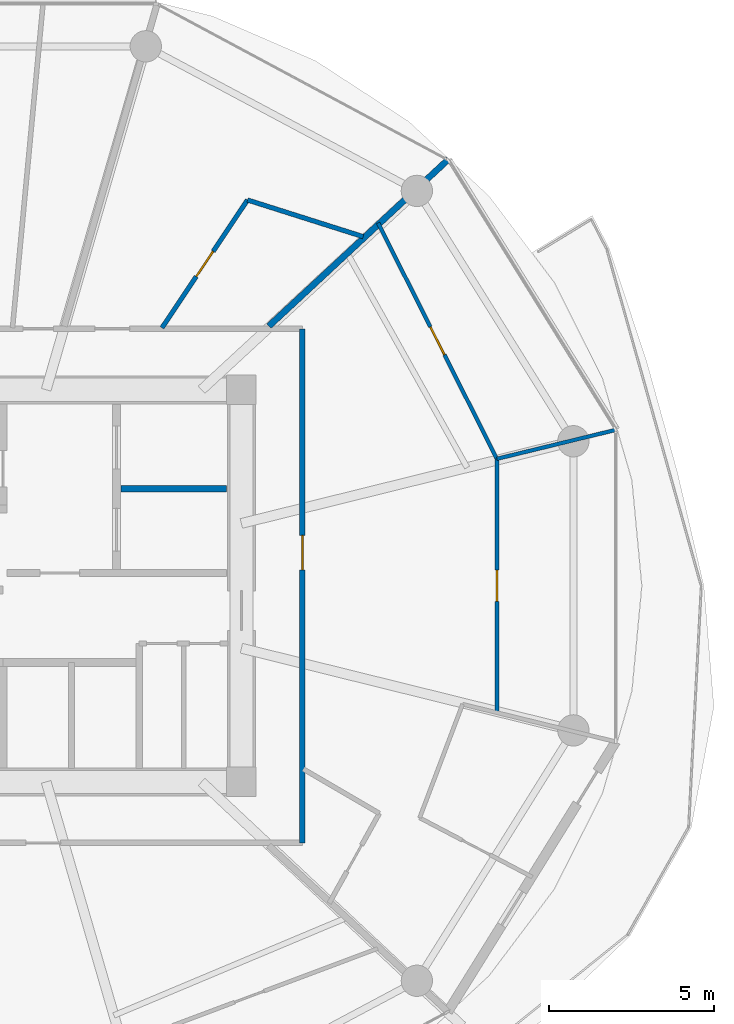
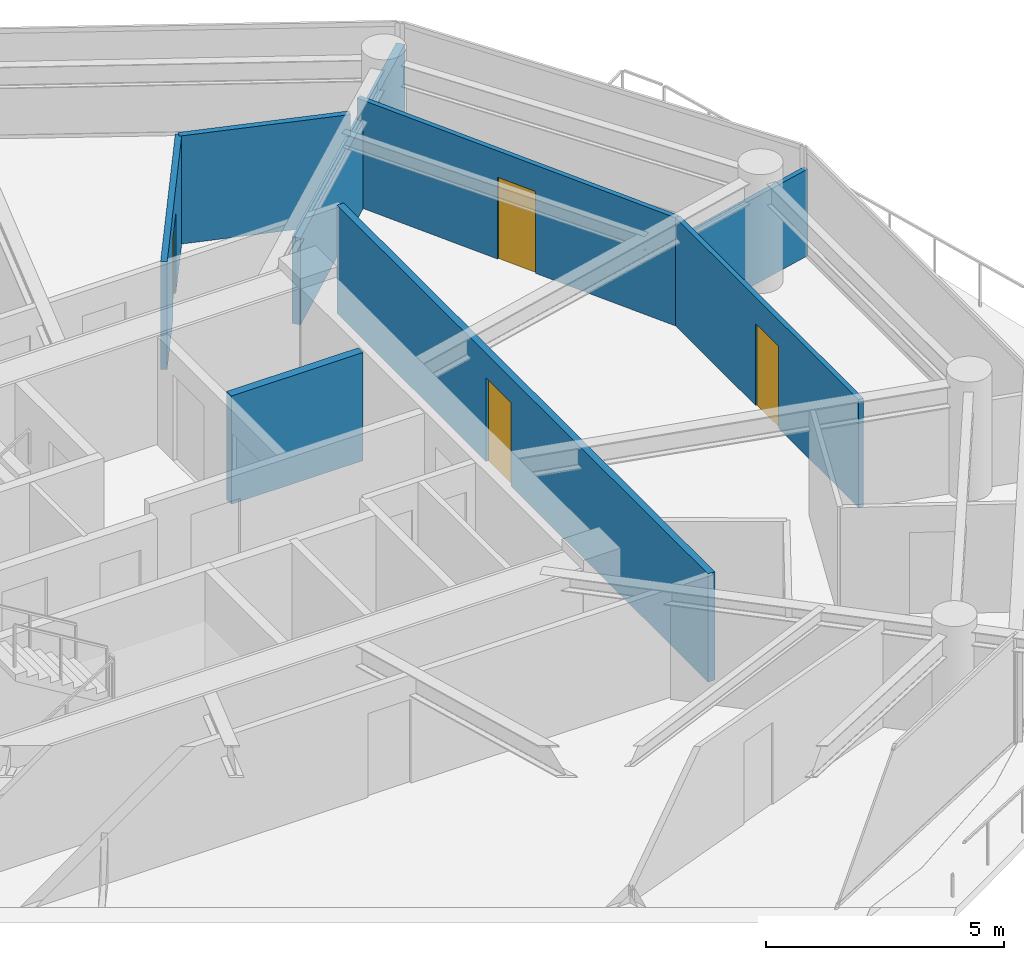
# One storey, part 21 of 27: 8 walls, 4 doors, 4 openings.
"""IFC4 building model written with IfcOpenShell, lengths in metres."""

from ifc_helpers import new_model, si_unit, direction, frame, frame_2d, origin, place, context, subcontext, project, spatial, rectangle, extrude, source, transform, mapped, material, layer, layer_set, type_object, type_shapes, element, fill, save


model = new_model("IFC4")

# Units and contexts
model_context = context("Model", 3, precision=1e-05, world=origin(), true_north=direction((0.0, 1.0)))
body_context = subcontext(model_context, "Body", "Model", "MODEL_VIEW")
ifc_project = project(units=[si_unit("LENGTHUNIT", "METRE"), si_unit("AREAUNIT", "SQUARE_METRE"), si_unit("VOLUMEUNIT", "CUBIC_METRE"), si_unit("PLANEANGLEUNIT", "RADIAN"), si_unit("MASSUNIT", "GRAM", prefix="KILO")], contexts=[model_context])

# Site, building, storey
site_placement = place(None, origin())
site = spatial("IfcSite", under=ifc_project, at=site_placement, CompositionType="ELEMENT")
building_placement = place(site_placement, origin())
building = spatial("IfcBuilding", under=site, at=building_placement, Name="Norrkilde Senior Care Towers", CompositionType="ELEMENT")
storey_placement = place(building_placement, frame((0.0, 0.0, 30.75)))
storey = spatial("IfcBuildingStorey", under=building, at=storey_placement, Name="L08", CompositionType="ELEMENT", Elevation=30.75)

# Wall
ifc_material_1 = material(Name="Concrete C45/55", Category="concrete")
ifc_layer_1 = layer(ifc_material_1, 0.199951171875)
ifc_layer_set_1 = layer_set([ifc_layer_1], Name="Concrete C45/55")
wall_type_1 = type_object("IfcWallType", Name="Shaft Division and Plant Partition 200", PredefinedType="PARTITIONING", material=ifc_layer_set_1)
shared_shape_1 = source(origin(), body_context, "Body", "SweptSolid", [
    extrude(rectangle(XDim=3.199951171875, YDim=0.199951171875, at=frame_2d((1.60009765625, 0.0))), origin(), (0.0, 0.0, 1.0), 2.77490234375),
])
type_shapes(wall_type_1, [shared_shape_1])
wall_1_placement = place(storey_placement, frame((32.0, 2.949951171875, 0.0), z_axis=(0.0, 0.0, 1.0), x_axis=(1.0, 0.0, 0.0)))
element("IfcWall", 1, at=wall_1_placement, inside=storey, type_object=wall_type_1, Name="WL-INT-L08-E-FFLDIV", PredefinedType="PARTITIONING", context=body_context, shape_type="MappedRepresentation", body=[
    mapped(shared_shape_1, transform((0.0, 0.0, 0.0), x_axis=(1.0, 0.0, 0.0), y_axis=(0.0, 1.0, 0.0), z_axis=(0.0, 0.0, 1.0), scale=1.0)),
])

# Wall, opening, door
ifc_material_2 = material(Name="Gypsum Acoustic Board")
ifc_layer_2 = layer(ifc_material_2, 0.1650390625)
ifc_layer_set_2 = layer_set([ifc_layer_2], Name="Gypsum Acoustic Board")
wall_type_2 = type_object("IfcWallType", Name="Corridor Rated Partition 165", PredefinedType="PARTITIONING", material=ifc_layer_set_2)
shared_shape_2 = source(origin(), body_context, "Body", "SweptSolid", [
    extrude(rectangle(XDim=15.60009765625, YDim=0.1650390625, at=frame_2d((7.800048828125, 0.0))), origin(), (0.0, 0.0, 1.0), 2.77490234375),
])
type_shapes(wall_type_2, [shared_shape_2])
wall_2_placement = place(storey_placement, frame((37.5, 7.800048828125, 0.0), z_axis=(0.0, 0.0, 1.0), x_axis=(0.0, -1.0, 0.0)))
wall_2 = element("IfcWall", 2, at=wall_2_placement, inside=storey, type_object=wall_type_2, Name="WL-INT-L08-E-CRW-E-0", PredefinedType="PARTITIONING", context=body_context, shape_type="MappedRepresentation", body=[
    mapped(shared_shape_2, transform((0.0, 0.0, 0.0), x_axis=(1.0, 0.0, 0.0), y_axis=(0.0, 1.0, 0.0), z_axis=(0.0, 0.0, 1.0), scale=1.0)),
])
opening_1_placement = place(wall_2_placement, frame((6.26904296875, 0.0, 0.0)))
opening_1 = element("IfcOpeningElement", 3, at=opening_1_placement, cuts=wall_2, Name="Opening D-06", PredefinedType="OPENING", context=body_context, shape_type="SweptSolid", body=[
    extrude(rectangle(XDim=1.050048828125, YDim=2.14990234375, at=frame_2d((0.52490234375, 1.074951171875))), frame((0.0, 0.092529296875, 0.0), z_axis=(0.0, -1.0, 0.0), x_axis=(1.0, 0.0, 0.0)), (0.0, 0.0, 1.0), 0.18505859375),
])
ifc_material_3 = material(Name="Nordic Ash Timber", Category="wood")
door_type_1 = type_object("IfcDoorType", Name="Apartment Entrance Fire Door 1050x2150", OperationType="NOTDEFINED", PredefinedType="DOOR", material=ifc_material_3)
shared_shape_3 = source(origin(), body_context, "Body", "SweptSolid", [
    extrude(rectangle(XDim=1.050048828125, YDim=2.14990234375, at=frame_2d((0.52490234375, 1.074951171875))), frame((0.0, 0.02490234375, 0.0), z_axis=(0.0, -1.0, 0.0), x_axis=(1.0, 0.0, 0.0)), (0.0, 0.0, 1.0), 0.050048828125),
])
type_shapes(door_type_1, [shared_shape_3])
door_1_placement = place(opening_1_placement, frame((1.050048828125, 0.0, 0.0), z_axis=(0.0, 0.0, 1.0), x_axis=(-1.0, 0.0, 0.0)))
door_1 = element("IfcDoor", 4, at=door_1_placement, inside=storey, type_object=door_type_1, Name="Apartment 08F Entrance Door", OperationType="SINGLE_SWING_LEFT", OverallHeight=2.14990234375, OverallWidth=1.050048828125, PredefinedType="DOOR", context=body_context, shape_type="MappedRepresentation", body=[
    mapped(shared_shape_3, transform((0.0, 0.0, 0.0), x_axis=(1.0, 0.0, 0.0), y_axis=(0.0, 1.0, 0.0), z_axis=(0.0, 0.0, 1.0), scale=1.0)),
])
fill(opening_1, door_1)

ifc_layer_3 = layer(ifc_material_2, 0.114990234375)
ifc_layer_set_3 = layer_set([ifc_layer_3], Name="Gypsum Acoustic Board")
wall_type_3 = type_object("IfcWallType", Name="Internal Room Partition 115", PredefinedType="PARTITIONING", material=ifc_layer_set_3)
shared_shape_4 = source(origin(), body_context, "Body", "SweptSolid", [
    extrude(rectangle(XDim=8.017822265625, YDim=0.114990234375, at=frame_2d((4.0087890625, 0.0))), origin(), (0.0, 0.0, 1.0), 2.77490234375),
])
wall_3_placement = place(storey_placement, frame((43.404052734375, 3.854248046875, 0.0), z_axis=(0.0, 0.0, 1.0), x_axis=(-0.450134355233, 0.89296084026, 0.0)))
wall_3 = element("IfcWall", 5, at=wall_3_placement, inside=storey, type_object=wall_type_3, Name="WL-INT-L08-E-UBC-10-2", PredefinedType="PARTITIONING", context=body_context, shape_type="MappedRepresentation", body=[
    mapped(shared_shape_4, transform((0.0, 0.0, 0.0), x_axis=(1.0, 0.0, 0.0), y_axis=(0.0, 1.0, 0.0), z_axis=(0.0, 0.0, 1.0), scale=1.0)),
])
opening_2_placement = place(wall_3_placement, frame((3.533935546875, 0.0, 0.0)))
opening_2 = element("IfcOpeningElement", 6, at=opening_2_placement, cuts=wall_3, Name="Opening D-07", PredefinedType="OPENING", context=body_context, shape_type="SweptSolid", body=[
    extrude(rectangle(XDim=0.949951171875, YDim=2.10009765625, at=frame_2d((0.47509765625, 1.050048828125))), frame((0.0, 0.0673828125, 0.0), z_axis=(0.0, -1.0, 0.0), x_axis=(1.0, 0.0, 0.0)), (0.0, 0.0, 1.0), 0.135009765625),
])
door_type_2 = type_object("IfcDoorType", Name="Internal Suite Bedroom Door 950x2100", OperationType="NOTDEFINED", PredefinedType="DOOR", material=ifc_material_3)
shared_shape_5 = source(origin(), body_context, "Body", "SweptSolid", [
    extrude(rectangle(XDim=0.949951171875, YDim=2.10009765625, at=frame_2d((0.47509765625, 1.050048828125))), frame((0.0, 0.02490234375, 0.0), z_axis=(0.0, -1.0, 0.0), x_axis=(1.0, 0.0, 0.0)), (0.0, 0.0, 1.0), 0.050048828125),
])
type_shapes(door_type_2, [shared_shape_5])
door_2_placement = place(opening_2_placement, frame((0.949951171875, 0.0, 0.0), z_axis=(0.0, 0.0, 1.0), x_axis=(-1.0, 0.0, 0.0)))
door_2 = element("IfcDoor", 7, at=door_2_placement, inside=storey, type_object=door_type_2, Name="Apartment 08F Bedroom 2 Door", OperationType="SINGLE_SWING_LEFT", OverallHeight=2.10009765625, OverallWidth=0.949951171875, PredefinedType="DOOR", context=body_context, shape_type="MappedRepresentation", body=[
    mapped(shared_shape_5, transform((0.0, 0.0, 0.0), x_axis=(1.0, 0.0, 0.0), y_axis=(0.0, 1.0, 0.0), z_axis=(0.0, 0.0, 1.0), scale=1.0)),
])
fill(opening_2, door_2)

# Wall
ifc_layer_4 = layer(ifc_material_2, 0.18994140625)
ifc_layer_set_4 = layer_set([ifc_layer_4], Name="Gypsum Acoustic Board")
wall_type_4 = type_object("IfcWallType", Name="Unit Demising Acoustic Wall 190", PredefinedType="PARTITIONING", material=ifc_layer_set_4)
shared_shape_6 = source(origin(), body_context, "Body", "SweptSolid", [
    extrude(rectangle(XDim=7.4345703125, YDim=0.18994140625, at=frame_2d((3.71728515625, 0.0))), origin(), (0.0, 0.0, 1.0), 2.22509765625),
])
type_shapes(wall_type_4, [shared_shape_6])
wall_4_placement = place(storey_placement, frame((36.48291015625, 7.8798828125, 0.0), z_axis=(0.0, 0.0, 1.0), x_axis=(0.732651956848, 0.680603489652, 0.0)))
element("IfcWall", 8, at=wall_4_placement, inside=storey, type_object=wall_type_4, Name="WL-INT-L08-E-DEM-01-0", PredefinedType="PARTITIONING", context=body_context, shape_type="MappedRepresentation", body=[
    mapped(shared_shape_6, transform((0.0, 0.0, 0.0), x_axis=(1.0, 0.0, 0.0), y_axis=(0.0, 1.0, 0.0), z_axis=(0.0, 0.0, 1.0), scale=1.0)),
])

# Wall, opening, door
shared_shape_7 = source(origin(), body_context, "Body", "SweptSolid", [
    extrude(rectangle(XDim=7.70947265625, YDim=0.114990234375, at=frame_2d((3.854736328125, 0.0))), origin(), (0.0, 0.0, 1.0), 2.77490234375),
])
wall_5_placement = place(storey_placement, frame((43.40625, -3.854736328125, 0.0), z_axis=(0.0, 0.0, 1.0), x_axis=(0.0, 1.0, 0.0)))
wall_5 = element("IfcWall", 9, at=wall_5_placement, inside=storey, type_object=wall_type_3, Name="WL-INT-L08-E-UBC-10-1", PredefinedType="PARTITIONING", context=body_context, shape_type="MappedRepresentation", body=[
    mapped(shared_shape_7, transform((0.0, 0.0, 0.0), x_axis=(1.0, 0.0, 0.0), y_axis=(0.0, 1.0, 0.0), z_axis=(0.0, 0.0, 1.0), scale=1.0)),
])
opening_3_placement = place(wall_5_placement, frame((3.379638671875, 0.0, 0.0)))
opening_3 = element("IfcOpeningElement", 10, at=opening_3_placement, cuts=wall_5, Name="Opening D-07", PredefinedType="OPENING", context=body_context, shape_type="SweptSolid", body=[
    extrude(rectangle(XDim=0.949951171875, YDim=2.10009765625, at=frame_2d((0.47509765625, 1.050048828125))), frame((0.0, 0.0673828125, 0.0), z_axis=(0.0, -1.0, 0.0), x_axis=(1.0, 0.0, 0.0)), (0.0, 0.0, 1.0), 0.135009765625),
])
door_3_placement = place(opening_3_placement, origin())
door_3 = element("IfcDoor", 11, at=door_3_placement, inside=storey, type_object=door_type_2, Name="Apartment 08F Bedroom 1 Door", OperationType="SINGLE_SWING_RIGHT", OverallHeight=2.10009765625, OverallWidth=0.949951171875, PredefinedType="DOOR", context=body_context, shape_type="MappedRepresentation", body=[
    mapped(shared_shape_5, transform((0.0, 0.0, 0.0), x_axis=(1.0, 0.0, 0.0), y_axis=(0.0, 1.0, 0.0), z_axis=(0.0, 0.0, 1.0), scale=1.0)),
])
fill(opening_3, door_3)

# Wall
shared_shape_8 = source(origin(), body_context, "Body", "SweptSolid", [
    extrude(rectangle(XDim=3.73046875, YDim=0.114990234375, at=frame_2d((1.865234375, 0.0))), origin(), (0.0, 0.0, 1.0), 2.22509765625),
])
type_shapes(wall_type_3, [shared_shape_4, shared_shape_7, shared_shape_8])
wall_6_placement = place(storey_placement, frame((43.404052734375, 3.854248046875, 0.0), z_axis=(0.0, 0.0, 1.0), x_axis=(0.971644038568, 0.236448434791, 0.0)))
element("IfcWall", 12, at=wall_6_placement, inside=storey, type_object=wall_type_3, Name="WL-INT-L08-E-UBR-10-2", PredefinedType="PARTITIONING", context=body_context, shape_type="MappedRepresentation", body=[
    mapped(shared_shape_8, transform((0.0, 0.0, 0.0), x_axis=(1.0, 0.0, 0.0), y_axis=(0.0, 1.0, 0.0), z_axis=(0.0, 0.0, 1.0), scale=1.0)),
])

# Wall, opening, door
ifc_layer_5 = layer(ifc_material_2, 0.139892578125)
ifc_layer_set_5 = layer_set([ifc_layer_5], Name="Gypsum Acoustic Board")
wall_type_5 = type_object("IfcWallType", Name="En-suite Wet Room Wall 140", PredefinedType="PARTITIONING", material=ifc_layer_set_5)
shared_shape_9 = source(origin(), body_context, "Body", "SweptSolid", [
    extrude(rectangle(XDim=4.667724609375, YDim=0.139892578125, at=frame_2d((2.333984375, 0.0))), origin(), (0.0, 0.0, 1.0), 2.77490234375),
])
wall_7_placement = place(storey_placement, frame((33.23974609375, 7.830078125, 0.0), z_axis=(0.0, 0.0, 1.0), x_axis=(0.55615986029, 0.83107533341, 0.0)))
wall_7 = element("IfcWall", 13, at=wall_7_placement, inside=storey, type_object=wall_type_5, Name="WL-INT-L08-E-ES-01", PredefinedType="PARTITIONING", context=body_context, shape_type="MappedRepresentation", body=[
    mapped(shared_shape_9, transform((0.0, 0.0, 0.0), x_axis=(1.0, 0.0, 0.0), y_axis=(0.0, 1.0, 0.0), z_axis=(0.0, 0.0, 1.0), scale=1.0)),
])
opening_4_placement = place(wall_7_placement, frame((1.873779296875, 0.0, 0.0)))
opening_4 = element("IfcOpeningElement", 14, at=opening_4_placement, cuts=wall_7, Name="Opening D-08", PredefinedType="OPENING", context=body_context, shape_type="SweptSolid", body=[
    extrude(rectangle(XDim=0.919921875, YDim=2.10009765625, at=frame_2d((0.4599609375, 1.050048828125))), frame((0.0, 0.079833984375, 0.0), z_axis=(0.0, -1.0, 0.0), x_axis=(1.0, 0.0, 0.0)), (0.0, 0.0, 1.0), 0.159912109375),
])
door_type_3 = type_object("IfcDoorType", Name="Accessible Wet Room Door 920x2100", OperationType="NOTDEFINED", PredefinedType="DOOR", material=ifc_material_3)
shared_shape_10 = source(origin(), body_context, "Body", "SweptSolid", [
    extrude(rectangle(XDim=0.919921875, YDim=2.10009765625, at=frame_2d((0.4599609375, 1.050048828125))), frame((0.0, 0.02490234375, 0.0), z_axis=(0.0, -1.0, 0.0), x_axis=(1.0, 0.0, 0.0)), (0.0, 0.0, 1.0), 0.050048828125),
])
type_shapes(door_type_3, [shared_shape_10])
door_4_placement = place(opening_4_placement, origin())
door_4 = element("IfcDoor", 15, at=door_4_placement, inside=storey, type_object=door_type_3, Name="L08 Studio 08G Bathroom Door", OperationType="SINGLE_SWING_RIGHT", OverallHeight=2.10009765625, OverallWidth=0.919921875, PredefinedType="DOOR", context=body_context, shape_type="MappedRepresentation", body=[
    mapped(shared_shape_10, transform((0.0, 0.0, 0.0), x_axis=(1.0, 0.0, 0.0), y_axis=(0.0, 1.0, 0.0), z_axis=(0.0, 0.0, 1.0), scale=1.0)),
])
fill(opening_4, door_4)

# Wall
shared_shape_11 = source(origin(), body_context, "Body", "SweptSolid", [
    extrude(rectangle(XDim=3.68408203125, YDim=0.139892578125, at=frame_2d((1.842041015625, 0.0))), origin(), (0.0, 0.0, 1.0), 2.77490234375),
])
type_shapes(wall_type_5, [shared_shape_9, shared_shape_11])
wall_8_placement = place(storey_placement, frame((35.835693359375, 11.709228515625, 0.0), z_axis=(0.0, 0.0, 1.0), x_axis=(0.953245538614, -0.302196861518, 0.0)))
element("IfcWall", 16, at=wall_8_placement, inside=storey, type_object=wall_type_5, Name="WL-INT-L08-E-EF-01", PredefinedType="PARTITIONING", context=body_context, shape_type="MappedRepresentation", body=[
    mapped(shared_shape_11, transform((0.0, 0.0, 0.0), x_axis=(1.0, 0.0, 0.0), y_axis=(0.0, 1.0, 0.0), z_axis=(0.0, 0.0, 1.0), scale=1.0)),
])

save(model, "model.ifc")
